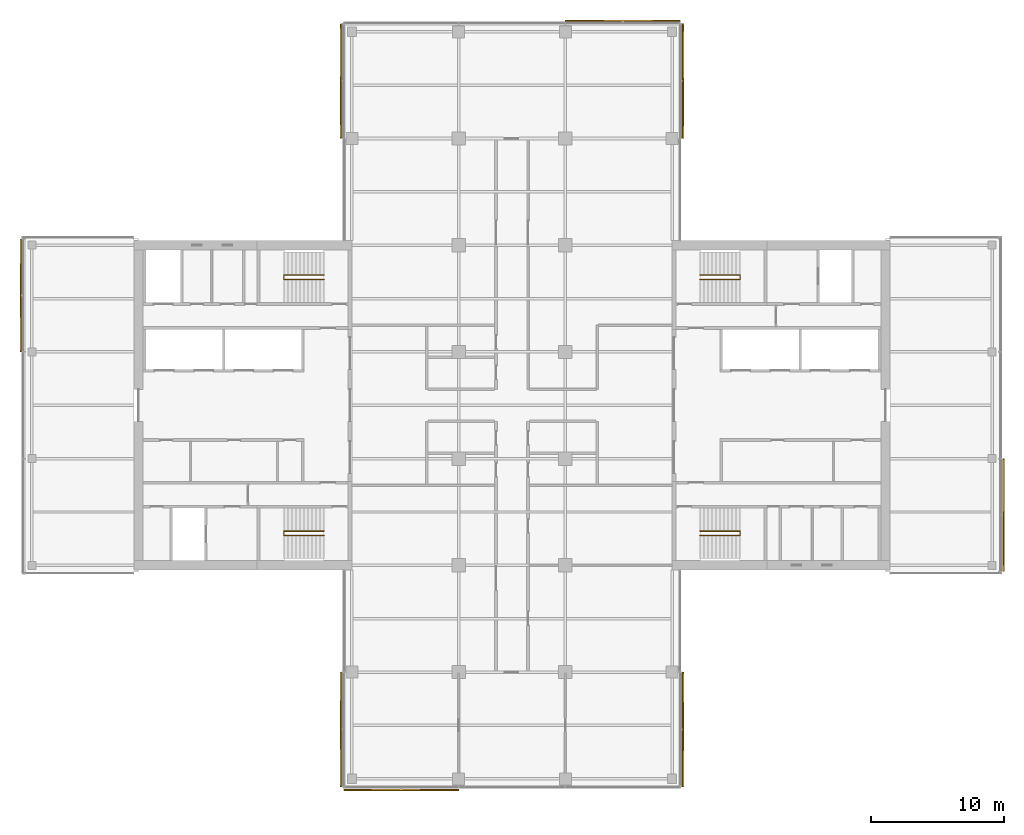
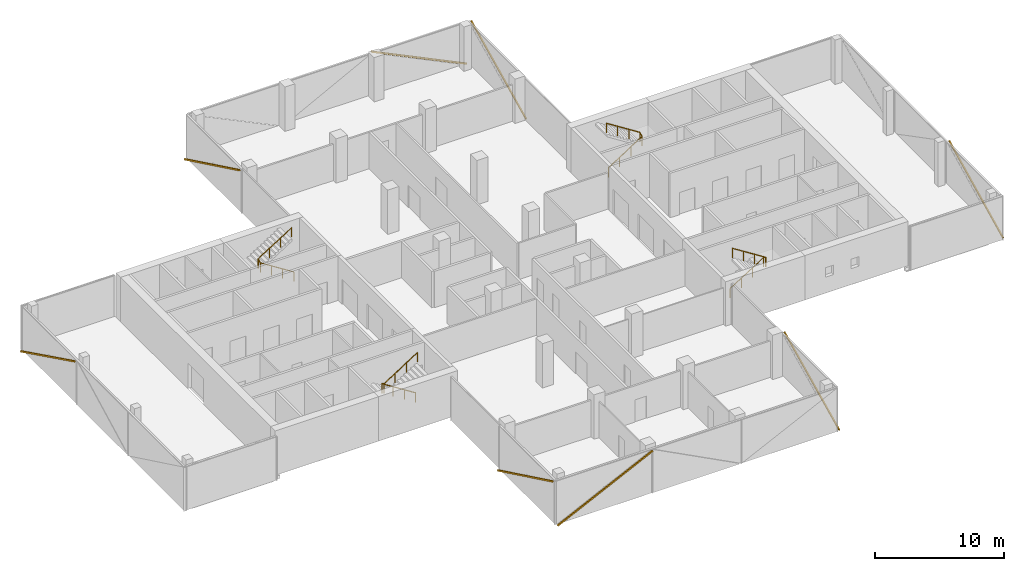
# One storey, part 22 of 22: 8 shading devices, 4 railings, 8 elements without a shape of their own.
"""IFC4 building model written with IfcOpenShell, lengths in metres."""

from ifc_helpers import new_model, si_unit, direction, frame, origin, origin_2d, place, context, subcontext, project, spatial, rectangle, circle, extrude, material, material_profile, profile_set, type_object, element, aggregate, save


model = new_model("IFC4")

# Units and contexts
model_context = context("Model", 3, precision=1e-05, world=origin(), true_north=direction((0.0, 1.0)))
body_context = subcontext(model_context, "Body", "Model", "MODEL_VIEW")
ifc_project = project(units=[si_unit("LENGTHUNIT", "METRE"), si_unit("AREAUNIT", "SQUARE_METRE"), si_unit("VOLUMEUNIT", "CUBIC_METRE"), si_unit("PLANEANGLEUNIT", "RADIAN"), si_unit("MASSUNIT", "GRAM", prefix="KILO")], contexts=[model_context])

# Site, building, storey
site_placement = place(None, origin())
site = spatial("IfcSite", under=ifc_project, at=site_placement, CompositionType="ELEMENT")
building_placement = place(site_placement, origin())
building = spatial("IfcBuilding", under=site, at=building_placement, Name="Crosswind Convention Tower", CompositionType="ELEMENT")
storey_placement = place(building_placement, frame((0.0, 0.0, 116.89990234375)))
storey = spatial("IfcBuildingStorey", under=building, at=storey_placement, Name="L23", CompositionType="ELEMENT", Elevation=116.89990234375)

# Railings
ifc_material_1 = material(Name="Stainless steel", Category="steel")
railing_type = type_object("IfcRailingType", Name="Stair handrail 900", PredefinedType="HANDRAIL", material=ifc_material_1)
railing_1_placement = place(storey_placement, frame((139.10009765625, 109.43994140625, 0.19091796875)))
element("IfcRailing", 1, at=railing_1_placement, inside=storey, type_object=railing_type, Name="Stair ST1 handrail L23", PredefinedType="HANDRAIL", context=body_context, shape_type="SweptSolid", body=[
    extrude(circle(Radius=0.02392578125, at=origin_2d()), frame((0.0, 0.0, 0.8759765625), z_axis=(0.843650179428, 0.0, 0.536893261973), x_axis=(0.0, 1.0, 0.0)), (0.0, 0.0, 1.0), 3.555908203125),
    extrude(circle(Radius=0.02392578125, at=origin_2d()), frame((3.0, 0.0, 2.78515625), z_axis=(0.0, 0.858819504967, 0.512278301208), x_axis=(-1.0, 0.0, 0.0)), (0.0, 0.0, 1.0), 0.372802734375),
    extrude(circle(Radius=0.02392578125, at=origin_2d()), frame((3.0, 0.320068359375, 2.97607421875), z_axis=(-0.843650179428, 0.0, 0.536893261973), x_axis=(0.0, -1.0, 0.0)), (0.0, 0.0, 1.0), 3.555908203125),
    extrude(circle(Radius=0.02099609375, at=origin_2d()), origin(), (0.0, 0.0, 1.0), 0.851806640625),
    extrude(circle(Radius=0.02099609375, at=origin_2d()), frame((1.0, 0.0, 0.636474609375)), (0.0, 0.0, 1.0), 0.851806640625),
    extrude(circle(Radius=0.02099609375, at=origin_2d()), frame((2.0, 0.0, 1.272705078125)), (0.0, 0.0, 1.0), 0.851806640625),
    extrude(circle(Radius=0.02099609375, at=origin_2d()), frame((3.0, 0.0, 1.9091796875)), (0.0, 0.0, 1.0), 0.851806640625),
    extrude(circle(Radius=0.02099609375, at=origin_2d()), frame((3.0, 0.320068359375, 2.10009765625)), (0.0, 0.0, 1.0), 0.851806640625),
    extrude(circle(Radius=0.02099609375, at=origin_2d()), frame((2.0, 0.320068359375, 2.736572265625)), (0.0, 0.0, 1.0), 0.851806640625),
    extrude(circle(Radius=0.02099609375, at=origin_2d()), frame((1.0, 0.320068359375, 3.372802734375)), (0.0, 0.0, 1.0), 0.851806640625),
    extrude(circle(Radius=0.02099609375, at=origin_2d()), frame((0.0, 0.320068359375, 4.00927734375)), (0.0, 0.0, 1.0), 0.851806640625),
])
railing_2_placement = place(storey_placement, frame((139.10009765625, 90.56005859375, 0.19091796875)))
element("IfcRailing", 2, at=railing_2_placement, inside=storey, type_object=railing_type, Name="Stair ST2 handrail L23", PredefinedType="HANDRAIL", context=body_context, shape_type="SweptSolid", body=[
    extrude(circle(Radius=0.02392578125, at=origin_2d()), frame((0.0, 0.0, 0.8759765625), z_axis=(0.843650179428, 0.0, 0.536893261973), x_axis=(0.0, 1.0, 0.0)), (0.0, 0.0, 1.0), 3.555908203125),
    extrude(circle(Radius=0.02392578125, at=origin_2d()), frame((3.0, 0.0, 2.78515625), z_axis=(0.0, -0.858819504967, 0.512278301208), x_axis=(1.0, 0.0, 0.0)), (0.0, 0.0, 1.0), 0.372802734375),
    extrude(circle(Radius=0.02392578125, at=origin_2d()), frame((3.0, -0.320068359375, 2.97607421875), z_axis=(-0.843650179428, 0.0, 0.536893261973), x_axis=(0.0, -1.0, 0.0)), (0.0, 0.0, 1.0), 3.555908203125),
    extrude(circle(Radius=0.02099609375, at=origin_2d()), origin(), (0.0, 0.0, 1.0), 0.851806640625),
    extrude(circle(Radius=0.02099609375, at=origin_2d()), frame((1.0, 0.0, 0.636474609375)), (0.0, 0.0, 1.0), 0.851806640625),
    extrude(circle(Radius=0.02099609375, at=origin_2d()), frame((2.0, 0.0, 1.272705078125)), (0.0, 0.0, 1.0), 0.851806640625),
    extrude(circle(Radius=0.02099609375, at=origin_2d()), frame((3.0, 0.0, 1.9091796875)), (0.0, 0.0, 1.0), 0.851806640625),
    extrude(circle(Radius=0.02099609375, at=origin_2d()), frame((3.0, -0.320068359375, 2.10009765625)), (0.0, 0.0, 1.0), 0.851806640625),
    extrude(circle(Radius=0.02099609375, at=origin_2d()), frame((2.0, -0.320068359375, 2.736572265625)), (0.0, 0.0, 1.0), 0.851806640625),
    extrude(circle(Radius=0.02099609375, at=origin_2d()), frame((1.0, -0.320068359375, 3.372802734375)), (0.0, 0.0, 1.0), 0.851806640625),
    extrude(circle(Radius=0.02099609375, at=origin_2d()), frame((0.0, -0.320068359375, 4.00927734375)), (0.0, 0.0, 1.0), 0.851806640625),
])
railing_3_placement = place(storey_placement, frame((110.89990234375, 90.56005859375, 0.19091796875)))
element("IfcRailing", 3, at=railing_3_placement, inside=storey, type_object=railing_type, Name="Stair ST3 handrail L23", PredefinedType="HANDRAIL", context=body_context, shape_type="SweptSolid", body=[
    extrude(circle(Radius=0.02392578125, at=origin_2d()), frame((0.0, 0.0, 0.8759765625), z_axis=(-0.843650179428, 0.0, 0.536893261973), x_axis=(0.0, -1.0, 0.0)), (0.0, 0.0, 1.0), 3.555908203125),
    extrude(circle(Radius=0.02392578125, at=origin_2d()), frame((-3.0, 0.0, 2.78515625), z_axis=(0.0, -0.858819504967, 0.512278301208), x_axis=(1.0, 0.0, 0.0)), (0.0, 0.0, 1.0), 0.372802734375),
    extrude(circle(Radius=0.02392578125, at=origin_2d()), frame((-3.0, -0.320068359375, 2.97607421875), z_axis=(0.843650179428, 0.0, 0.536893261973), x_axis=(0.0, 1.0, 0.0)), (0.0, 0.0, 1.0), 3.555908203125),
    extrude(circle(Radius=0.02099609375, at=origin_2d()), origin(), (0.0, 0.0, 1.0), 0.851806640625),
    extrude(circle(Radius=0.02099609375, at=origin_2d()), frame((-1.0, 0.0, 0.636474609375)), (0.0, 0.0, 1.0), 0.851806640625),
    extrude(circle(Radius=0.02099609375, at=origin_2d()), frame((-2.0, 0.0, 1.272705078125)), (0.0, 0.0, 1.0), 0.851806640625),
    extrude(circle(Radius=0.02099609375, at=origin_2d()), frame((-3.0, 0.0, 1.9091796875)), (0.0, 0.0, 1.0), 0.851806640625),
    extrude(circle(Radius=0.02099609375, at=origin_2d()), frame((-3.0, -0.320068359375, 2.10009765625)), (0.0, 0.0, 1.0), 0.851806640625),
    extrude(circle(Radius=0.02099609375, at=origin_2d()), frame((-2.0, -0.320068359375, 2.736572265625)), (0.0, 0.0, 1.0), 0.851806640625),
    extrude(circle(Radius=0.02099609375, at=origin_2d()), frame((-1.0, -0.320068359375, 3.372802734375)), (0.0, 0.0, 1.0), 0.851806640625),
    extrude(circle(Radius=0.02099609375, at=origin_2d()), frame((0.0, -0.320068359375, 4.00927734375)), (0.0, 0.0, 1.0), 0.851806640625),
])
railing_4_placement = place(storey_placement, frame((110.89990234375, 109.43994140625, 0.19091796875)))
element("IfcRailing", 4, at=railing_4_placement, inside=storey, type_object=railing_type, Name="Stair ST4 handrail L23", PredefinedType="HANDRAIL", context=body_context, shape_type="SweptSolid", body=[
    extrude(circle(Radius=0.02392578125, at=origin_2d()), frame((0.0, 0.0, 0.8759765625), z_axis=(-0.843650179428, 0.0, 0.536893261973), x_axis=(0.0, -1.0, 0.0)), (0.0, 0.0, 1.0), 3.555908203125),
    extrude(circle(Radius=0.02392578125, at=origin_2d()), frame((-3.0, 0.0, 2.78515625), z_axis=(0.0, 0.858819504967, 0.512278301208), x_axis=(-1.0, 0.0, 0.0)), (0.0, 0.0, 1.0), 0.372802734375),
    extrude(circle(Radius=0.02392578125, at=origin_2d()), frame((-3.0, 0.320068359375, 2.97607421875), z_axis=(0.843650179428, 0.0, 0.536893261973), x_axis=(0.0, 1.0, 0.0)), (0.0, 0.0, 1.0), 3.555908203125),
    extrude(circle(Radius=0.02099609375, at=origin_2d()), origin(), (0.0, 0.0, 1.0), 0.851806640625),
    extrude(circle(Radius=0.02099609375, at=origin_2d()), frame((-1.0, 0.0, 0.636474609375)), (0.0, 0.0, 1.0), 0.851806640625),
    extrude(circle(Radius=0.02099609375, at=origin_2d()), frame((-2.0, 0.0, 1.272705078125)), (0.0, 0.0, 1.0), 0.851806640625),
    extrude(circle(Radius=0.02099609375, at=origin_2d()), frame((-3.0, 0.0, 1.9091796875)), (0.0, 0.0, 1.0), 0.851806640625),
    extrude(circle(Radius=0.02099609375, at=origin_2d()), frame((-3.0, 0.320068359375, 2.10009765625)), (0.0, 0.0, 1.0), 0.851806640625),
    extrude(circle(Radius=0.02099609375, at=origin_2d()), frame((-2.0, 0.320068359375, 2.736572265625)), (0.0, 0.0, 1.0), 0.851806640625),
    extrude(circle(Radius=0.02099609375, at=origin_2d()), frame((-1.0, 0.320068359375, 3.372802734375)), (0.0, 0.0, 1.0), 0.851806640625),
    extrude(circle(Radius=0.02099609375, at=origin_2d()), frame((0.0, 0.320068359375, 4.00927734375)), (0.0, 0.0, 1.0), 0.851806640625),
])

# Curtain wall, shading device
ifc_material_2 = material(Name="Aluminium unitised curtain wall", Category="aluminium")
curtain_wall_type = type_object("IfcCurtainWallType", Name="OFFICE UNITISED WALL 220", PredefinedType="USERDEFINED", material=ifc_material_2)
curtain_wall_1_placement = place(storey_placement, origin())
curtain_wall_1 = element("IfcCurtainWall", 5, at=curtain_wall_1_placement, inside=storey, type_object=curtain_wall_type, Name="CW3 L23 E-TIP 1", ObjectType="UNITISED", PredefinedType="USERDEFINED")
ifc_material_3 = material(Name="Extruded terracotta", Category="masonry")
ifc_material_profile = material_profile(ifc_material_3, rectangle(XDim=0.110107421875, YDim=0.1298828125, at=origin_2d()), Name="TC 110X130")
ifc_profile_set = profile_set([ifc_material_profile], Name="Extruded terracotta")
shading_device_type = type_object("IfcShadingDeviceType", Name="TERRACOTTA BAGUETTE 130X110", PredefinedType="USERDEFINED", material=ifc_profile_set)
shading_device_1_placement = place(storey_placement, frame((161.8310546875, 87.570068359375, -0.2998046875), z_axis=(0.0, 0.897299814718, 0.44142161536), x_axis=(-1.0, 0.0, 0.0)))
shading_device_1 = element("IfcShadingDevice", 6, at=shading_device_1_placement, type_object=shading_device_type, Name="CW3 terracotta baguette 1", ObjectType="BAGUETTE", PredefinedType="USERDEFINED", context=body_context, shape_type="SweptSolid", body=[
    extrude(rectangle(XDim=0.110107421875, YDim=0.1298828125, at=origin_2d()), origin(), (0.0, 0.0, 1.0), 9.35595703125),
])
aggregate(curtain_wall_1, [shading_device_1])

curtain_wall_2_placement = place(storey_placement, origin())
curtain_wall_2 = element("IfcCurtainWall", 7, at=curtain_wall_2_placement, inside=storey, type_object=curtain_wall_type, Name="CW3 L23 N-E 1", ObjectType="UNITISED", PredefinedType="USERDEFINED")
shading_device_2_placement = place(storey_placement, frame((137.8310546875, 120.034912109375, -0.2998046875), z_axis=(0.0, 0.900258180835, 0.435356414723), x_axis=(-1.0, 0.0, 0.0)))
shading_device_2 = element("IfcShadingDevice", 8, at=shading_device_2_placement, type_object=shading_device_type, Name="CW3 terracotta baguette 1", ObjectType="BAGUETTE", PredefinedType="USERDEFINED", context=body_context, shape_type="SweptSolid", body=[
    extrude(rectangle(XDim=0.110107421875, YDim=0.1298828125, at=origin_2d()), origin(), (0.0, 0.0, 1.0), 9.486328125),
])
aggregate(curtain_wall_2, [shading_device_2])

curtain_wall_3_placement = place(storey_placement, origin())
curtain_wall_3 = element("IfcCurtainWall", 9, at=curtain_wall_3_placement, inside=storey, type_object=curtain_wall_type, Name="CW3 L23 N-TIP 1", ObjectType="UNITISED", PredefinedType="USERDEFINED")
shading_device_3_placement = place(storey_placement, frame((137.574951171875, 128.8310546875, -0.2998046875), z_axis=(-0.900258180835, 0.0, 0.435356414723), x_axis=(0.0, -1.0, 0.0)))
shading_device_3 = element("IfcShadingDevice", 10, at=shading_device_3_placement, type_object=shading_device_type, Name="CW3 terracotta baguette 1", ObjectType="BAGUETTE", PredefinedType="USERDEFINED", context=body_context, shape_type="SweptSolid", body=[
    extrude(rectangle(XDim=0.110107421875, YDim=0.1298828125, at=origin_2d()), origin(), (0.0, 0.0, 1.0), 9.486328125),
])
aggregate(curtain_wall_3, [shading_device_3])

curtain_wall_4_placement = place(storey_placement, origin())
curtain_wall_4 = element("IfcCurtainWall", 11, at=curtain_wall_4_placement, inside=storey, type_object=curtain_wall_type, Name="CW3 L23 N-W 1", ObjectType="UNITISED", PredefinedType="USERDEFINED")
shading_device_4_placement = place(storey_placement, frame((112.1689453125, 128.574951171875, -0.2998046875), z_axis=(0.0, -0.900258180835, 0.435356414723), x_axis=(1.0, 0.0, 0.0)))
shading_device_4 = element("IfcShadingDevice", 12, at=shading_device_4_placement, type_object=shading_device_type, Name="CW3 terracotta baguette 1", ObjectType="BAGUETTE", PredefinedType="USERDEFINED", context=body_context, shape_type="SweptSolid", body=[
    extrude(rectangle(XDim=0.110107421875, YDim=0.1298828125, at=origin_2d()), origin(), (0.0, 0.0, 1.0), 9.486328125),
])
aggregate(curtain_wall_4, [shading_device_4])

curtain_wall_5_placement = place(storey_placement, origin())
curtain_wall_5 = element("IfcCurtainWall", 13, at=curtain_wall_5_placement, inside=storey, type_object=curtain_wall_type, Name="CW3 L23 W-TIP 1", ObjectType="UNITISED", PredefinedType="USERDEFINED")
shading_device_5_placement = place(storey_placement, frame((88.1689453125, 112.429931640625, -0.2998046875), z_axis=(0.0, -0.897299814718, 0.44142161536), x_axis=(1.0, 0.0, 0.0)))
shading_device_5 = element("IfcShadingDevice", 14, at=shading_device_5_placement, type_object=shading_device_type, Name="CW3 terracotta baguette 1", ObjectType="BAGUETTE", PredefinedType="USERDEFINED", context=body_context, shape_type="SweptSolid", body=[
    extrude(rectangle(XDim=0.110107421875, YDim=0.1298828125, at=origin_2d()), origin(), (0.0, 0.0, 1.0), 9.35595703125),
])
aggregate(curtain_wall_5, [shading_device_5])

curtain_wall_6_placement = place(storey_placement, origin())
curtain_wall_6 = element("IfcCurtainWall", 15, at=curtain_wall_6_placement, inside=storey, type_object=curtain_wall_type, Name="CW3 L23 S-W 1", ObjectType="UNITISED", PredefinedType="USERDEFINED")
shading_device_6_placement = place(storey_placement, frame((112.1689453125, 79.965087890625, -0.2998046875), z_axis=(0.0, -0.900258180835, 0.435356414723), x_axis=(1.0, 0.0, 0.0)))
shading_device_6 = element("IfcShadingDevice", 16, at=shading_device_6_placement, type_object=shading_device_type, Name="CW3 terracotta baguette 1", ObjectType="BAGUETTE", PredefinedType="USERDEFINED", context=body_context, shape_type="SweptSolid", body=[
    extrude(rectangle(XDim=0.110107421875, YDim=0.1298828125, at=origin_2d()), origin(), (0.0, 0.0, 1.0), 9.486328125),
])
aggregate(curtain_wall_6, [shading_device_6])

curtain_wall_7_placement = place(storey_placement, origin())
curtain_wall_7 = element("IfcCurtainWall", 17, at=curtain_wall_7_placement, inside=storey, type_object=curtain_wall_type, Name="CW3 L23 S-TIP 1", ObjectType="UNITISED", PredefinedType="USERDEFINED")
shading_device_7_placement = place(storey_placement, frame((112.425048828125, 71.1689453125, -0.2998046875), z_axis=(0.900258180835, 0.0, 0.435356414723), x_axis=(0.0, 1.0, 0.0)))
shading_device_7 = element("IfcShadingDevice", 18, at=shading_device_7_placement, type_object=shading_device_type, Name="CW3 terracotta baguette 1", ObjectType="BAGUETTE", PredefinedType="USERDEFINED", context=body_context, shape_type="SweptSolid", body=[
    extrude(rectangle(XDim=0.110107421875, YDim=0.1298828125, at=origin_2d()), origin(), (0.0, 0.0, 1.0), 9.486328125),
])
aggregate(curtain_wall_7, [shading_device_7])

curtain_wall_8_placement = place(storey_placement, origin())
curtain_wall_8 = element("IfcCurtainWall", 19, at=curtain_wall_8_placement, inside=storey, type_object=curtain_wall_type, Name="CW3 L23 S-E 1", ObjectType="UNITISED", PredefinedType="USERDEFINED")
shading_device_8_placement = place(storey_placement, frame((137.8310546875, 71.425048828125, -0.2998046875), z_axis=(0.0, 0.900258180835, 0.435356414723), x_axis=(-1.0, 0.0, 0.0)))
shading_device_8 = element("IfcShadingDevice", 20, at=shading_device_8_placement, type_object=shading_device_type, Name="CW3 terracotta baguette 1", ObjectType="BAGUETTE", PredefinedType="USERDEFINED", context=body_context, shape_type="SweptSolid", body=[
    extrude(rectangle(XDim=0.110107421875, YDim=0.1298828125, at=origin_2d()), origin(), (0.0, 0.0, 1.0), 9.486328125),
])
aggregate(curtain_wall_8, [shading_device_8])

save(model, "model.ifc")
